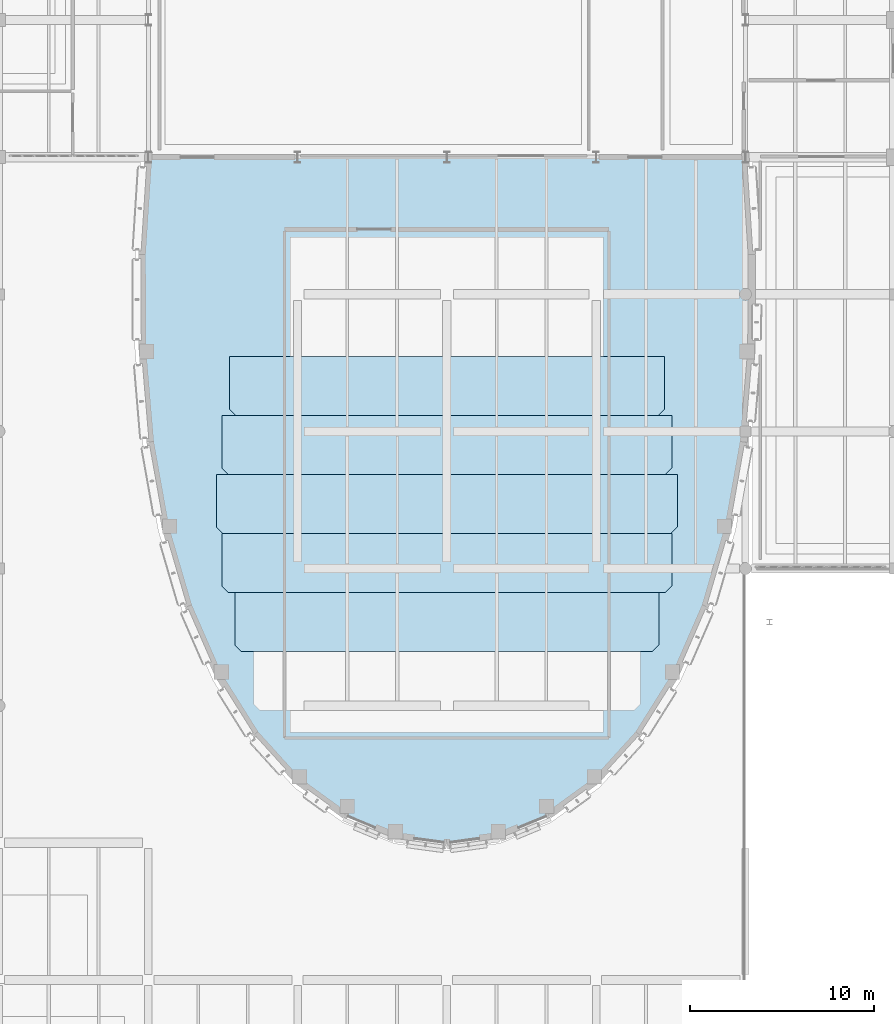
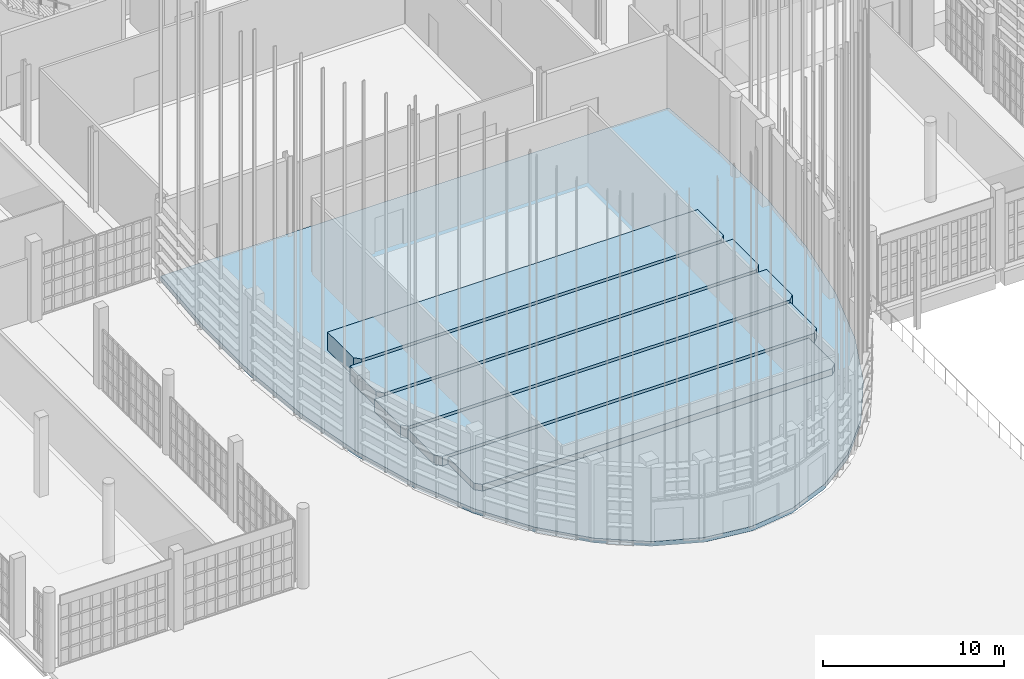
# One storey, part 326 of 372: 6 slabs.
"""IFC4 building model written with IfcOpenShell, lengths in metres."""

from ifc_helpers import new_model, si_unit, direction, frame, origin, place, context, subcontext, project, spatial, polyline, outline, extrude, material, layer, layer_set, type_object, element, save


model = new_model("IFC4")

# Units and contexts
model_context = context("Model", 3, precision=1e-05, world=origin(), true_north=direction((0.0, 1.0)))
body_context = subcontext(model_context, "Body", "Model", "MODEL_VIEW")
ifc_project = project(units=[si_unit("LENGTHUNIT", "METRE"), si_unit("AREAUNIT", "SQUARE_METRE"), si_unit("VOLUMEUNIT", "CUBIC_METRE"), si_unit("PLANEANGLEUNIT", "RADIAN"), si_unit("MASSUNIT", "GRAM", prefix="KILO")], contexts=[model_context])

# Site, building, storey
site_placement = place(None, origin())
site = spatial("IfcSite", under=ifc_project, at=site_placement, CompositionType="ELEMENT")
building_placement = place(site_placement, origin())
building = spatial("IfcBuilding", under=site, at=building_placement, Name="Kaelora Sail Theatre", CompositionType="ELEMENT")
storey_placement = place(building_placement, origin())
storey = spatial("IfcBuildingStorey", under=building, at=storey_placement, Name="L00", CompositionType="ELEMENT", Elevation=0.0)

# Slabs
ifc_material_1 = material(Name="Concrete C45/55", Category="concrete")
ifc_layer_1 = layer(ifc_material_1, 0.320068359375)
ifc_layer_set_1 = layer_set([ifc_layer_1], Name="Concrete C45/55")
slab_type_1 = type_object("IfcSlabType", Name="STR-SLB-SL-FL320", PredefinedType="FLOOR", material=ifc_layer_set_1)
slab_1_placement = place(storey_placement, frame((0.0, 0.0, -0.320068359375)))
element("IfcSlab", 1, at=slab_1_placement, inside=storey, type_object=slab_type_1, Name="Main Theatre floor slab (L00)", PredefinedType="FLOOR", context=body_context, shape_type="SweptSolid", body=[
    extrude(outline(polyline([(58.199951171875, 61.02001953125), (58.542236328125, 55.725830078125), (58.516845703125, 50.53955078125), (58.096435546875, 45.566650390625), (57.265625, 40.908203125), (56.02490234375, 36.6591796875), (54.390380859375, 32.906005859375), (52.395751953125, 29.725341796875), (50.090087890625, 27.181640625), (47.537109375, 25.326904296875), (44.8125, 24.198486328125), (42.0, 23.820068359375), (39.1875, 24.198486328125), (36.462890625, 25.326904296875), (33.909912109375, 27.181640625), (31.604248046875, 29.725341796875), (29.609619140625, 32.906005859375), (27.97509765625, 36.6591796875), (26.734375, 40.908203125), (25.903564453125, 45.566650390625), (25.483154296875, 50.53955078125), (25.457763671875, 55.725830078125), (25.800048828125, 61.02001953125), (58.199951171875, 61.02001953125)])), origin(), (0.0, 0.0, 1.0), 0.320068359375),
])
ifc_material_2 = material(Name="Precast concrete C45/55", Category="concrete")
ifc_layer_2 = layer(ifc_material_2, 0.18994140625)
ifc_layer_set_2 = layer_set([ifc_layer_2], Name="Precast concrete C45/55")
slab_type_2 = type_object("IfcSlabType", Name="STR-SLB-SL-ST190", PredefinedType="USERDEFINED", material=ifc_layer_set_2)
slab_2_placement = place(storey_placement, origin())
element("IfcSlab", 2, at=slab_2_placement, inside=storey, type_object=slab_type_2, Name="Auditorium seating tier ST-M02", ObjectType="SEATING TIER", PredefinedType="USERDEFINED", context=body_context, shape_type="SweptSolid", body=[
    extrude(outline(polyline([(30.85009765625, 34.199951171875), (53.14990234375, 34.199951171875), (53.5, 34.550048828125), (53.5, 37.39990234375), (30.5, 37.39990234375), (30.5, 34.550048828125), (30.85009765625, 34.199951171875)])), origin(), (0.0, 0.0, 1.0), 0.43994140625),
])
slab_3_placement = place(storey_placement, origin())
element("IfcSlab", 3, at=slab_3_placement, inside=storey, type_object=slab_type_2, Name="Auditorium seating tier ST-M03", ObjectType="SEATING TIER", PredefinedType="USERDEFINED", context=body_context, shape_type="SweptSolid", body=[
    extrude(outline(polyline([(30.14990234375, 37.39990234375), (53.85009765625, 37.39990234375), (54.199951171875, 37.75), (54.199951171875, 40.60009765625), (29.800048828125, 40.60009765625), (29.800048828125, 37.75), (30.14990234375, 37.39990234375)])), origin(), (0.0, 0.0, 1.0), 0.639892578125),
])
slab_4_placement = place(storey_placement, origin())
element("IfcSlab", 4, at=slab_4_placement, inside=storey, type_object=slab_type_2, Name="Auditorium seating tier ST-M04", ObjectType="SEATING TIER", PredefinedType="USERDEFINED", context=body_context, shape_type="SweptSolid", body=[
    extrude(outline(polyline([(29.85009765625, 40.60009765625), (54.14990234375, 40.60009765625), (54.5, 40.949951171875), (54.5, 43.800048828125), (29.5, 43.800048828125), (29.5, 40.949951171875), (29.85009765625, 40.60009765625)])), origin(), (0.0, 0.0, 1.0), 0.840087890625),
])
slab_5_placement = place(storey_placement, origin())
element("IfcSlab", 5, at=slab_5_placement, inside=storey, type_object=slab_type_2, Name="Auditorium seating tier ST-M05", ObjectType="SEATING TIER", PredefinedType="USERDEFINED", context=body_context, shape_type="SweptSolid", body=[
    extrude(outline(polyline([(30.14990234375, 43.800048828125), (53.85009765625, 43.800048828125), (54.199951171875, 44.14990234375), (54.199951171875, 47.0), (29.800048828125, 47.0), (29.800048828125, 44.14990234375), (30.14990234375, 43.800048828125)])), origin(), (0.0, 0.0, 1.0), 1.0400390625),
])
slab_6_placement = place(storey_placement, origin())
element("IfcSlab", 6, at=slab_6_placement, inside=storey, type_object=slab_type_2, Name="Auditorium seating tier ST-M06", ObjectType="SEATING TIER", PredefinedType="USERDEFINED", context=body_context, shape_type="SweptSolid", body=[
    extrude(outline(polyline([(30.550048828125, 47.0), (53.449951171875, 47.0), (53.800048828125, 47.35009765625), (53.800048828125, 50.199951171875), (30.199951171875, 50.199951171875), (30.199951171875, 47.35009765625), (30.550048828125, 47.0)])), origin(), (0.0, 0.0, 1.0), 1.239990234375),
])

save(model, "model.ifc")
